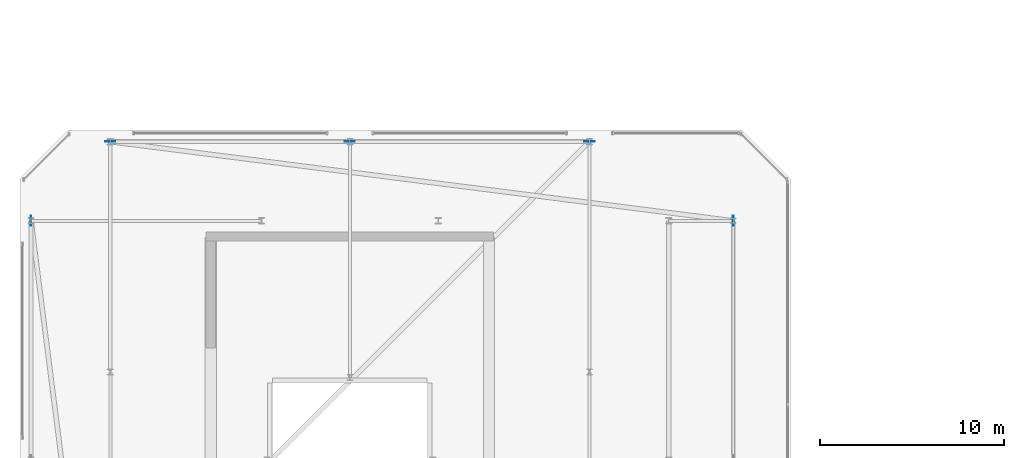
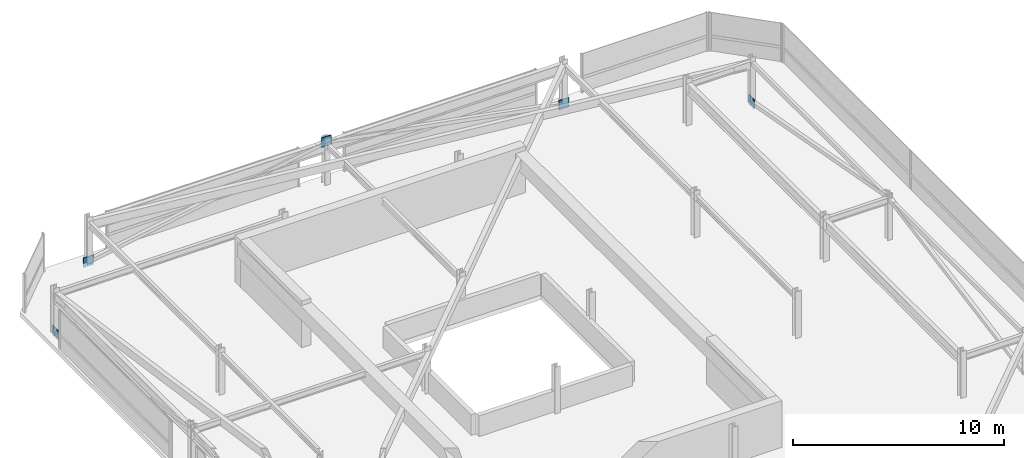
# One storey, part 42 of 44: 5 plates.
"""IFC4 building model written with IfcOpenShell, lengths in metres."""

import ifcopenshell
import ifcopenshell.guid

model = None  # the IFC model being written
_history = None  # IfcOwnerHistory: only IFC2X3 demands one
_inside = {}  # id of a spatial element -> (the spatial element, [elements in it])
_under = {}  # id of a project, library or spatial element -> (it, [spatial elements below it])
_declared = {}  # id of a project -> (the project, [libraries it declares])
_typed = {}  # id of a type object -> (the type object, [elements of that type])
_made_of = {}  # id of a material, layer set ... -> (it, [elements and type objects made of it])


def new_model(schema):
    """Start an empty IFC model of exactly this schema.

    Asked for "IFC4X3", IfcOpenShell would pick the latest addendum, in which some entities
    have other attributes; the version numbers below select the first issue.
    IFC2X3 requires an IfcOwnerHistory on every rooted entity: one is made here for all.
    """
    global model, _history
    if schema == "IFC4X3":
        model = ifcopenshell.file(schema_version=(4, 3, 0, 0))
    else:
        model = ifcopenshell.file(schema=schema)
    _inside.clear()
    _under.clear()
    _declared.clear()
    _typed.clear()
    _made_of.clear()
    _history = None
    if model.schema == "IFC2X3":
        org = make("IfcOrganization", Name="unknown")
        user = make(
            "IfcPersonAndOrganization",
            ThePerson=make("IfcPerson", FamilyName="unknown"),
            TheOrganization=org,
        )
        app = make(
            "IfcApplication",
            ApplicationDeveloper=org,
            Version="unknown",
            ApplicationFullName="unknown",
            ApplicationIdentifier="unknown",
        )
        _history = make(
            "IfcOwnerHistory",
            OwningUser=user,
            OwningApplication=app,
            ChangeAction="ADDED",
            CreationDate=0,
        )
    return model


def make(cls, **values):
    """One entity of the class cls with the attributes given. An attribute that is None is left unset."""
    return model.create_entity(
        cls, **{name: value for name, value in values.items() if value is not None}
    )


def rooted(cls, **values):
    """An entity with a GlobalId (a new one), such as an element, a storey or a relation."""
    return make(cls, GlobalId=ifcopenshell.guid.new(), OwnerHistory=_history, **values)


def si_unit(unit_type, name, prefix=None):
    """IfcSIUnit, for example si_unit("LENGTHUNIT", "METRE", prefix="MILLI")."""
    return make("IfcSIUnit", UnitType=unit_type, Prefix=prefix, Name=name)


def assignment(units):
    """IfcUnitAssignment: the units of a project."""
    return None if units is None else make("IfcUnitAssignment", Units=units)


def point(xyz):
    """IfcCartesianPoint."""
    return None if xyz is None else make("IfcCartesianPoint", Coordinates=xyz)


def direction(xyz):
    """IfcDirection."""
    return None if xyz is None else make("IfcDirection", DirectionRatios=xyz)


def frame(location, z_axis=None, x_axis=None):
    """IfcAxis2Placement3D, a coordinate frame: its origin and axes. An axis left out is left unset."""
    return make(
        "IfcAxis2Placement3D",
        Location=point(location),
        Axis=direction(z_axis),
        RefDirection=direction(x_axis),
    )


def frame_2d(location, x_axis=None):
    """IfcAxis2Placement2D, a coordinate frame in the plane: its origin and x axis."""
    return make(
        "IfcAxis2Placement2D", Location=point(location), RefDirection=direction(x_axis)
    )


def origin():
    """The frame at (0, 0, 0) with its axes left unset."""
    return frame((0.0, 0.0, 0.0))


def origin_2d():
    """The frame at (0, 0) in the plane with its x axis left unset."""
    return frame_2d((0.0, 0.0))


def place(relative_to, where):
    """IfcLocalPlacement: puts the frame where relative to a parent placement (None: the world)."""
    return make(
        "IfcLocalPlacement", PlacementRelTo=relative_to, RelativePlacement=where
    )


def context(
    kind, dimensions, precision=None, world=None, true_north=None, identifier=None
):
    """IfcGeometricRepresentationContext, for example the 3D "Model" context."""
    return make(
        "IfcGeometricRepresentationContext",
        ContextIdentifier=identifier,
        ContextType=kind,
        CoordinateSpaceDimension=dimensions,
        Precision=precision,
        WorldCoordinateSystem=world,
        TrueNorth=true_north,
    )


def subcontext(parent, identifier, kind, view, scale=None):
    """IfcGeometricRepresentationSubContext, for example "Body" below "Model"."""
    return make(
        "IfcGeometricRepresentationSubContext",
        ContextIdentifier=identifier,
        ContextType=kind,
        ParentContext=parent,
        TargetScale=scale,
        TargetView=view,
    )


def project(units=None, contexts=None):
    """IfcProject with its units and contexts."""
    return rooted(
        "IfcProject",
        Name="project",
        RepresentationContexts=contexts,
        UnitsInContext=assignment(units),
    )


def spatial(cls, under=None, at=None, **own):
    """A site, building, storey or space (cls), placed at a placement, below another one or the project."""
    s = rooted(cls, ObjectPlacement=at, **own)
    if under is not None:
        _under.setdefault(under.id(), (under, []))[1].append(s)
    return s


def profile(cls, at=None, kind="AREA", **sizes):
    """A parametric profile (cls). Its sizes go by their IFC names, for example OverallWidth=200.0."""
    return make(cls, ProfileType=kind, Position=at, **sizes)


def rectangle(**sizes):
    """IfcRectangleProfileDef."""
    return profile("IfcRectangleProfileDef", **sizes)


def extrude(swept, where, along, depth):
    """IfcExtrudedAreaSolid: the profile swept, set in the frame where, extruded along a direction by depth."""
    return make(
        "IfcExtrudedAreaSolid",
        SweptArea=swept,
        Position=where,
        ExtrudedDirection=direction(along),
        Depth=depth,
    )


def shape(context_of_items, identifier, shape_type, items):
    """IfcShapeRepresentation: the items that make up one representation, for example the "Body"."""
    return make(
        "IfcShapeRepresentation",
        ContextOfItems=context_of_items,
        RepresentationIdentifier=identifier,
        RepresentationType=shape_type,
        Items=items,
    )


def material(Name=None, Category=None):
    """IfcMaterial."""
    return make("IfcMaterial", Name=Name, Category=Category)


def layer(
    of_material, thickness, ventilated=None, Name=None, Category=None, Priority=None
):
    """IfcMaterialLayer: one layer of a wall or slab, of a material (None: an air gap)."""
    return make(
        "IfcMaterialLayer",
        Material=of_material,
        LayerThickness=thickness,
        IsVentilated=ventilated,
        Name=Name,
        Category=Category,
        Priority=Priority,
    )


def layer_set(layers, Name=None):
    """IfcMaterialLayerSet."""
    return make("IfcMaterialLayerSet", MaterialLayers=layers, LayerSetName=Name)


def made_of(thing, what):
    """Note that an element or type object is made of a material, layer set ...; save() writes the relation."""
    if what is not None:
        _made_of.setdefault(what.id(), (what, []))[1].append(thing)
    return thing


def type_object(cls, material=None, **own):
    """A type object (cls), such as IfcWallType, which elements share."""
    return made_of(rooted(cls, **own), material)


def element(
    cls,
    number,
    at=None,
    inside=None,
    cuts=None,
    type_object=None,
    material=None,
    context=None,
    identifier="Body",
    shape_type=None,
    held_by="IfcProductDefinitionShape",
    body=None,
    shapes=None,
    **own,
):
    """One element of the class cls, such as IfcWall. Its Tag is "e" and its number.

    at: its placement. inside: the storey or other place that contains it. cuts: it is an
    opening in that element (IfcRelVoidsElement). A single representation is given by context,
    identifier, shape_type and body (its items); several are given by shapes. held_by: the class
    of the entity that holds the representations. save() writes the other relations.
    """
    e = rooted(cls, Tag="e%d" % number, ObjectPlacement=at, **own)
    if body is not None:
        shapes = [shape(context, identifier, shape_type, body)]
    if shapes is not None:
        e.Representation = make(held_by, Representations=shapes)
    if inside is not None:
        _inside.setdefault(inside.id(), (inside, []))[1].append(e)
    if cuts is not None:
        rooted(
            "IfcRelVoidsElement", RelatingBuildingElement=cuts, RelatedOpeningElement=e
        )
    if type_object is not None:
        _typed.setdefault(type_object.id(), (type_object, []))[1].append(e)
    return made_of(e, material)


def aggregate(whole, parts):
    """IfcRelAggregates: a whole, such as a stair, and the parts it consists of."""
    return rooted("IfcRelAggregates", RelatingObject=whole, RelatedObjects=parts)


def save(model, path):
    """Write the relations noted so far, then the file.

    IfcRelAggregates (storeys below a building ...), IfcRelContainedInSpatialStructure (elements
    in a storey), IfcRelDefinesByType, IfcRelAssociatesMaterial and IfcRelDeclares: one each for
    every whole, place, type object, material and project.
    """
    for whole, parts in _under.values():
        aggregate(whole, parts)
    for where, things in _inside.values():
        rooted(
            "IfcRelContainedInSpatialStructure",
            RelatedElements=things,
            RelatingStructure=where,
        )
    for kind, things in _typed.values():
        rooted("IfcRelDefinesByType", RelatedObjects=things, RelatingType=kind)
    for what, things in _made_of.values():
        rooted("IfcRelAssociatesMaterial", RelatedObjects=things, RelatingMaterial=what)
    for by, libraries in _declared.values():
        rooted("IfcRelDeclares", RelatingContext=by, RelatedDefinitions=libraries)
    model.write(path)


model = new_model("IFC4")

# Units and contexts
model_context = context("Model", 3, precision=1e-05, world=origin(), true_north=direction((0.0, 1.0)))
body_context = subcontext(model_context, "Body", "Model", "MODEL_VIEW")
ifc_project = project(units=[si_unit("LENGTHUNIT", "METRE"), si_unit("AREAUNIT", "SQUARE_METRE"), si_unit("VOLUMEUNIT", "CUBIC_METRE"), si_unit("PLANEANGLEUNIT", "RADIAN"), si_unit("MASSUNIT", "GRAM", prefix="KILO")], contexts=[model_context])

# Site, building, storey
site_placement = place(None, origin())
site = spatial("IfcSite", under=ifc_project, at=site_placement, CompositionType="ELEMENT")
building_placement = place(site_placement, origin())
building = spatial("IfcBuilding", under=site, at=building_placement, Name="Thornwick Lancets Civic Towers", CompositionType="ELEMENT")
storey_placement = place(building_placement, frame((0.0, 0.0, 292.199951171875)))
storey = spatial("IfcBuildingStorey", under=building, at=storey_placement, Name="C05", CompositionType="ELEMENT", Elevation=292.199951171875)

# Plates
ifc_material = material(Name="Steel S460M", Category="steel")
ifc_layer = layer(ifc_material, 0.0400390625, Name="Steel S460M")
ifc_layer_set = layer_set([ifc_layer], Name="Steel S460M")
plate_type = type_object("IfcPlateType", Name="PLT_GUSSET_40", PredefinedType="USERDEFINED", material=ifc_layer_set)
for number, where, z_axis, x_axis, name in (
    (1, (46.300048828125, 40.0, -0.22509765625), (0.0, 0.0, 1.0), (0.0, -1.0, 0.0), "C05 Brace Connection Gusset Plate 0538"),
    (2, (12.5, 44.300048828125, -0.22509765625), (0.0, 0.0, 1.0), (1.0, 0.0, 0.0), "C05 Brace Connection Gusset Plate 0539"),
    (3, (25.5, 44.300048828125, 2.1650390625), (0.0, 0.0, 1.0), (1.0, 0.0, 0.0), "C05 Brace Connection Gusset Plate 0540"),
    (4, (38.5, 44.300048828125, -0.22509765625), (0.0, 0.0, 1.0), (-1.0, 0.0, 0.0), "C05 Brace Connection Gusset Plate 0541"),
    (5, (8.199951171875, 40.0, -0.22509765625), (0.0, 0.0, 1.0), (0.0, -1.0, 0.0), "C05 Brace Connection Gusset Plate 0544"),
):
    element("IfcPlate", number, at=place(storey_placement, frame(where, z_axis=z_axis, x_axis=x_axis)), inside=storey, type_object=plate_type, Name=name, ObjectType="GUSSET_PLATE", PredefinedType="USERDEFINED", context=body_context, shape_type="SweptSolid", body=[
        extrude(rectangle(XDim=0.550048828125, YDim=0.0400390625, at=origin_2d()), origin(), (0.0, 0.0, 1.0), 0.550048828125),
    ])

save(model, "model.ifc")
